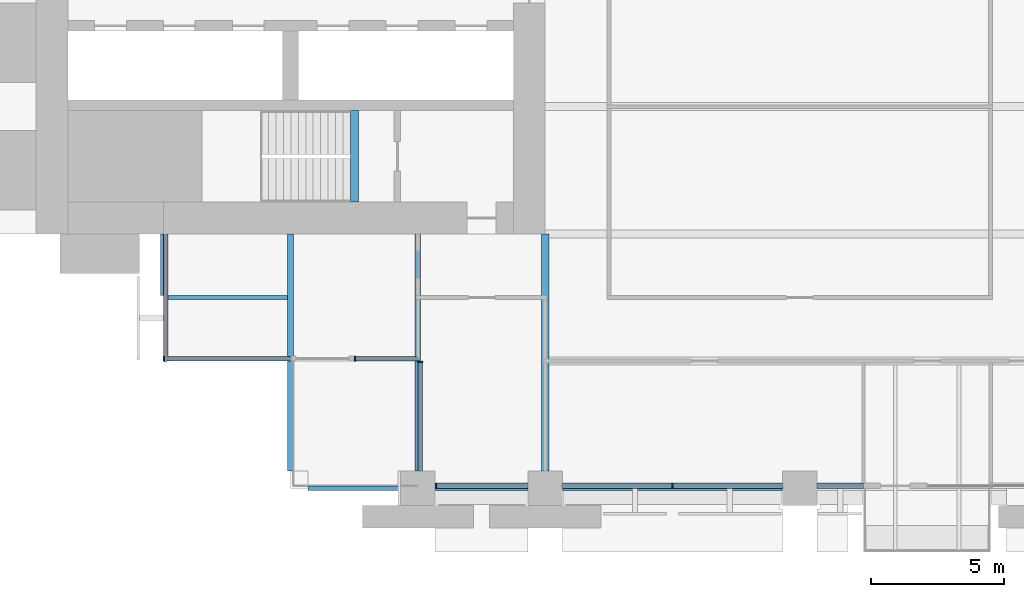
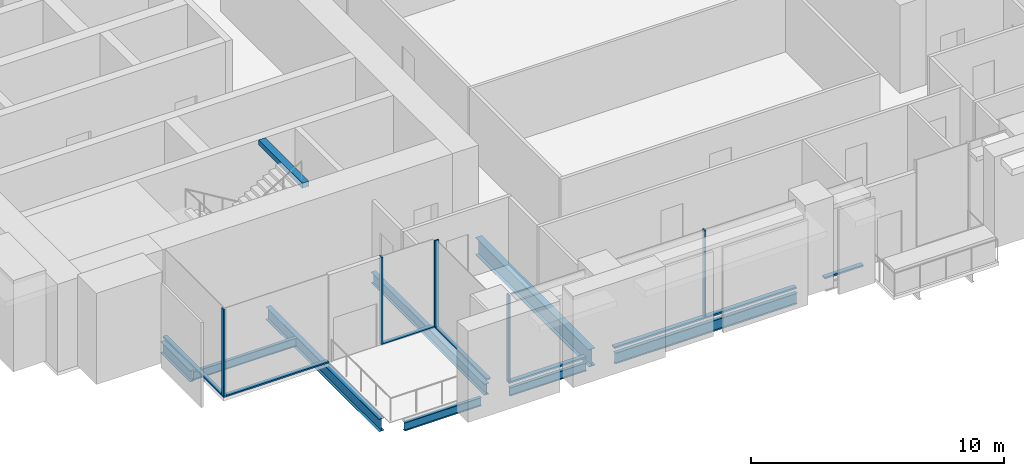
# One storey, part 2 of 15: 12 members, 9 beams, 5 elements without a shape of their own.
"""IFC4 building model written with IfcOpenShell, lengths in metres."""

from ifc_helpers import new_model, si_unit, direction, frame, origin, origin_2d, place, context, subcontext, project, spatial, rectangle, i_section, extrude, material, material_profile, profile_set, type_object, element, aggregate, save


model = new_model("IFC4")

# Units and contexts
model_context = context("Model", 3, precision=1e-05, world=origin(), true_north=direction((0.0, 1.0)))
body_context = subcontext(model_context, "Body", "Model", "MODEL_VIEW")
ifc_project = project(units=[si_unit("LENGTHUNIT", "METRE"), si_unit("AREAUNIT", "SQUARE_METRE"), si_unit("VOLUMEUNIT", "CUBIC_METRE"), si_unit("PLANEANGLEUNIT", "RADIAN"), si_unit("MASSUNIT", "GRAM", prefix="KILO")], contexts=[model_context])

# Site, building, storey
site_placement = place(None, origin())
site = spatial("IfcSite", under=ifc_project, at=site_placement, CompositionType="ELEMENT")
building_placement = place(site_placement, origin())
building = spatial("IfcBuilding", under=site, at=building_placement, Name="Baori Bourse Tower", CompositionType="ELEMENT")
storey_placement = place(building_placement, frame((0.0, 0.0, 34.60009765625)))
storey = spatial("IfcBuildingStorey", under=building, at=storey_placement, Name="L06", CompositionType="ELEMENT", Elevation=34.60009765625)

# Curtain wall, members
ifc_material_1 = material(Name="Pale anodised aluminium", Category="aluminium")
curtain_wall_type_1 = type_object("IfcCurtainWallType", Name="CW1 Curtain wall", PredefinedType="NOTDEFINED", material=ifc_material_1)
curtain_wall_1_placement = place(storey_placement, origin())
curtain_wall_1 = element("IfcCurtainWall", 1, at=curtain_wall_1_placement, inside=storey, type_object=curtain_wall_type_1, Name="Curtain wall CW1 L06 14", PredefinedType="NOTDEFINED")
ifc_material_2 = material(Name="Pale anodised aluminium", Category="aluminium")
ifc_material_profile_1 = material_profile(ifc_material_2, rectangle(XDim=0.199951171875, YDim=0.06005859375, at=origin_2d()), Name="Mullion 60x200")
ifc_profile_set_1 = profile_set([ifc_material_profile_1], Name="Pale anodised aluminium")
member_type_1 = type_object("IfcMemberType", Name="CW1 Curtain wall mullion", PredefinedType="MULLION", material=ifc_profile_set_1)
member_1_placement = place(storey_placement, frame((15.080078125, 0.10009765625, 0.079833984375), z_axis=(0.0, 0.0, 1.0), x_axis=(0.0, 1.0, 0.0)))
member_1 = element("IfcMember", 2, at=member_1_placement, type_object=member_type_1, Name="Curtain wall CW1 mullion", PredefinedType="MULLION", context=body_context, shape_type="SweptSolid", body=[
    extrude(rectangle(XDim=0.199951171875, YDim=0.06005859375, at=origin_2d()), origin(), (0.0, 0.0, 1.0), 4.16015625),
])
member_2_placement = place(storey_placement, frame((24.0, 0.10009765625, 0.079833984375), z_axis=(0.0, 0.0, 1.0), x_axis=(0.0, 1.0, 0.0)))
member_2 = element("IfcMember", 3, at=member_2_placement, type_object=member_type_1, Name="Curtain wall CW1 mullion", PredefinedType="MULLION", context=body_context, shape_type="SweptSolid", body=[
    extrude(rectangle(XDim=0.199951171875, YDim=0.06005859375, at=origin_2d()), origin(), (0.0, 0.0, 1.0), 4.16015625),
])
ifc_material_3 = material(Name="Pale anodised aluminium", Category="aluminium")
ifc_material_profile_2 = material_profile(ifc_material_3, rectangle(XDim=0.199951171875, YDim=0.080078125, at=origin_2d()), Name="Transom 80x200")
ifc_profile_set_2 = profile_set([ifc_material_profile_2], Name="Pale anodised aluminium")
member_type_2 = type_object("IfcMemberType", Name="CW1 Curtain wall transom", PredefinedType="USERDEFINED", material=ifc_profile_set_2)
member_3_placement = place(storey_placement, frame((15.050048828125, 0.10009765625, 0.039794921875), z_axis=(1.0, 0.0, 0.0), x_axis=(0.0, 1.0, 0.0)))
member_3 = element("IfcMember", 4, at=member_3_placement, type_object=member_type_2, Name="Curtain wall CW1 sill rail", ObjectType="TRANSOM", PredefinedType="USERDEFINED", context=body_context, shape_type="SweptSolid", body=[
    extrude(rectangle(XDim=0.199951171875, YDim=0.080078125, at=origin_2d()), origin(), (0.0, 0.0, 1.0), 3.5),
])
member_4_placement = place(storey_placement, frame((19.85009765625, 0.10009765625, 0.039794921875), z_axis=(1.0, 0.0, 0.0), x_axis=(0.0, 1.0, 0.0)))
member_4 = element("IfcMember", 5, at=member_4_placement, type_object=member_type_2, Name="Curtain wall CW1 sill rail", ObjectType="TRANSOM", PredefinedType="USERDEFINED", context=body_context, shape_type="SweptSolid", body=[
    extrude(rectangle(XDim=0.199951171875, YDim=0.080078125, at=origin_2d()), origin(), (0.0, 0.0, 1.0), 8.2998046875),
])
member_5_placement = place(storey_placement, frame((29.449951171875, 0.10009765625, 0.039794921875), z_axis=(1.0, 0.0, 0.0), x_axis=(0.0, 1.0, 0.0)))
member_5 = element("IfcMember", 6, at=member_5_placement, type_object=member_type_2, Name="Curtain wall CW1 sill rail", ObjectType="TRANSOM", PredefinedType="USERDEFINED", context=body_context, shape_type="SweptSolid", body=[
    extrude(rectangle(XDim=0.199951171875, YDim=0.080078125, at=origin_2d()), origin(), (0.0, 0.0, 1.0), 1.75),
])
aggregate(curtain_wall_1, [member_3, member_1, member_4, member_2, member_5])

# Curtain wall, member
ifc_material_4 = material(Name="Pale anodised aluminium", Category="aluminium")
curtain_wall_type_2 = type_object("IfcCurtainWallType", Name="CW2 Curtain wall", PredefinedType="NOTDEFINED", material=ifc_material_4)
curtain_wall_2_placement = place(storey_placement, origin())
curtain_wall_2 = element("IfcCurtainWall", 7, at=curtain_wall_2_placement, inside=storey, type_object=curtain_wall_type_2, Name="Curtain wall CW2 L06 11", PredefinedType="NOTDEFINED")
ifc_material_5 = material(Name="Pale anodised aluminium", Category="aluminium")
ifc_material_profile_3 = material_profile(ifc_material_5, rectangle(XDim=0.179931640625, YDim=0.054931640625, at=origin_2d()), Name="Mullion 55x180")
ifc_profile_set_3 = profile_set([ifc_material_profile_3], Name="Pale anodised aluminium")
member_type_3 = type_object("IfcMemberType", Name="CW2 Curtain wall mullion", PredefinedType="MULLION", material=ifc_profile_set_3)
member_6_placement = place(storey_placement, frame((4.827392578125, 4.889892578125, 0.06982421875), z_axis=(0.0, 0.0, 1.0), x_axis=(0.0, 1.0, 0.0)))
member_6 = element("IfcMember", 8, at=member_6_placement, type_object=member_type_3, Name="Curtain wall CW2 mullion", PredefinedType="MULLION", context=body_context, shape_type="SweptSolid", body=[
    extrude(rectangle(XDim=0.179931640625, YDim=0.054931640625, at=origin_2d()), origin(), (0.0, 0.0, 1.0), 4.170166015625),
])

curtain_wall_3_placement = place(storey_placement, origin())
curtain_wall_3 = element("IfcCurtainWall", 9, at=curtain_wall_3_placement, inside=storey, type_object=curtain_wall_type_2, Name="Curtain wall CW2 L06 12", PredefinedType="NOTDEFINED")
member_7_placement = place(storey_placement, frame((12.027587890625, 4.889892578125, 0.06982421875), z_axis=(0.0, 0.0, 1.0), x_axis=(0.0, 1.0, 0.0)))
member_7 = element("IfcMember", 10, at=member_7_placement, type_object=member_type_3, Name="Curtain wall CW2 mullion", PredefinedType="MULLION", context=body_context, shape_type="SweptSolid", body=[
    extrude(rectangle(XDim=0.179931640625, YDim=0.054931640625, at=origin_2d()), origin(), (0.0, 0.0, 1.0), 4.170166015625),
])

curtain_wall_4_placement = place(storey_placement, origin())
curtain_wall_4 = element("IfcCurtainWall", 11, at=curtain_wall_4_placement, inside=storey, type_object=curtain_wall_type_2, Name="Curtain wall CW2 L06 13", PredefinedType="NOTDEFINED")
member_8_placement = place(storey_placement, frame((14.489990234375, 4.7724609375, 0.06982421875), z_axis=(0.0, 0.0, 1.0), x_axis=(1.0, 0.0, 0.0)))
member_8 = element("IfcMember", 12, at=member_8_placement, type_object=member_type_3, Name="Curtain wall CW2 mullion", PredefinedType="MULLION", context=body_context, shape_type="SweptSolid", body=[
    extrude(rectangle(XDim=0.179931640625, YDim=0.054931640625, at=origin_2d()), origin(), (0.0, 0.0, 1.0), 4.170166015625),
])

curtain_wall_5_placement = place(storey_placement, origin())
curtain_wall_5 = element("IfcCurtainWall", 13, at=curtain_wall_5_placement, inside=storey, type_object=curtain_wall_type_2, Name="Curtain wall CW2 L06 10", PredefinedType="NOTDEFINED")
ifc_material_6 = material(Name="Pale anodised aluminium", Category="aluminium")
ifc_material_profile_4 = material_profile(ifc_material_6, rectangle(XDim=0.179931640625, YDim=0.070068359375, at=origin_2d()), Name="Transom 70x180")
ifc_profile_set_4 = profile_set([ifc_material_profile_4], Name="Pale anodised aluminium")
member_type_4 = type_object("IfcMemberType", Name="CW2 Curtain wall transom", PredefinedType="USERDEFINED", material=ifc_profile_set_4)
member_9_placement = place(storey_placement, frame((4.889892578125, 9.60009765625, 0.034912109375), z_axis=(0.0, -1.0, 0.0), x_axis=(1.0, 0.0, 0.0)))
member_9 = element("IfcMember", 14, at=member_9_placement, type_object=member_type_4, Name="Curtain wall CW2 sill rail", ObjectType="TRANSOM", PredefinedType="USERDEFINED", context=body_context, shape_type="SweptSolid", body=[
    extrude(rectangle(XDim=0.179931640625, YDim=0.070068359375, at=origin_2d()), origin(), (0.0, 0.0, 1.0), 4.800048828125),
])
aggregate(curtain_wall_5, [member_9])

# Member
member_10_placement = place(storey_placement, frame((4.800048828125, 4.889892578125, 0.034912109375), z_axis=(1.0, 0.0, 0.0), x_axis=(0.0, 1.0, 0.0)))
member_10 = element("IfcMember", 15, at=member_10_placement, type_object=member_type_4, Name="Curtain wall CW2 sill rail", ObjectType="TRANSOM", PredefinedType="USERDEFINED", context=body_context, shape_type="SweptSolid", body=[
    extrude(rectangle(XDim=0.179931640625, YDim=0.070068359375, at=origin_2d()), origin(), (0.0, 0.0, 1.0), 4.800048828125),
])

aggregate(curtain_wall_2, [member_10, member_6])

member_11_placement = place(storey_placement, frame((12.0, 4.889892578125, 0.034912109375), z_axis=(1.0, 0.0, 0.0), x_axis=(0.0, 1.0, 0.0)))
member_11 = element("IfcMember", 16, at=member_11_placement, type_object=member_type_4, Name="Curtain wall CW2 sill rail", ObjectType="TRANSOM", PredefinedType="USERDEFINED", context=body_context, shape_type="SweptSolid", body=[
    extrude(rectangle(XDim=0.179931640625, YDim=0.070068359375, at=origin_2d()), origin(), (0.0, 0.0, 1.0), 2.39990234375),
])

aggregate(curtain_wall_3, [member_11, member_7])

member_12_placement = place(storey_placement, frame((14.489990234375, 4.800048828125, 0.034912109375), z_axis=(0.0, -1.0, 0.0), x_axis=(1.0, 0.0, 0.0)))
member_12 = element("IfcMember", 17, at=member_12_placement, type_object=member_type_4, Name="Curtain wall CW2 sill rail", ObjectType="TRANSOM", PredefinedType="USERDEFINED", context=body_context, shape_type="SweptSolid", body=[
    extrude(rectangle(XDim=0.179931640625, YDim=0.070068359375, at=origin_2d()), origin(), (0.0, 0.0, 1.0), 4.150146484375),
])

aggregate(curtain_wall_4, [member_12, member_8])

# Beams
ifc_material_7 = material(Name="Steel A992 Gr 50", Category="steel")
ifc_material_profile_5 = material_profile(ifc_material_7, i_section(OverallWidth=0.21240234375, OverallDepth=0.54345703125, WebThickness=0.01318359375, FlangeThickness=0.021240234375, at=origin_2d()), Name="W21x83")
ifc_profile_set_5 = profile_set([ifc_material_profile_5], Name="Steel A992 Gr 50")
beam_type_1 = type_object("IfcBeamType", Name="Core bracket W21x83", PredefinedType="BEAM", material=ifc_profile_set_5)
beam_1_placement = place(storey_placement, frame((4.800048828125, 7.270263671875, -0.431884765625), z_axis=(0.0, 1.0, 0.0), x_axis=(-1.0, 0.0, 0.0)))
element("IfcBeam", 18, at=beam_1_placement, inside=storey, type_object=beam_type_1, Name="Core bracket L06", PredefinedType="BEAM", context=body_context, shape_type="SweptSolid", body=[
    extrude(i_section(OverallWidth=0.21240234375, OverallDepth=0.54345703125, WebThickness=0.01318359375, FlangeThickness=0.021240234375, at=origin_2d()), origin(), (0.0, 0.0, 1.0), 2.329833984375),
])
ifc_material_8 = material(Name="Steel A992 Gr 50", Category="steel")
ifc_material_profile_6 = material_profile(ifc_material_8, i_section(OverallWidth=0.140380859375, OverallDepth=0.40380859375, WebThickness=0.007080078125, FlangeThickness=0.01123046875, at=origin_2d()), Name="W16x31")
ifc_profile_set_6 = profile_set([ifc_material_profile_6], Name="Steel A992 Gr 50")
beam_type_2 = type_object("IfcBeamType", Name="Edge beam W16x31", PredefinedType="BEAM", material=ifc_profile_set_6)
for number, where, z_axis, x_axis, name in (
    (19, (10.25, 0.0, -0.362060546875), (1.0, 0.0, 0.0), (0.0, 1.0, 0.0), "Edge beam L06"),
    (20, (15.050048828125, 0.0, -0.362060546875), (1.0, 0.0, 0.0), (0.0, 1.0, 0.0), "Edge beam L06"),
):
    element("IfcBeam", number, at=place(storey_placement, frame(where, z_axis=z_axis, x_axis=x_axis)), inside=storey, type_object=beam_type_2, Name=name, PredefinedType="BEAM", context=body_context, shape_type="SweptSolid", body=[
        extrude(i_section(OverallWidth=0.140380859375, OverallDepth=0.40380859375, WebThickness=0.007080078125, FlangeThickness=0.01123046875, at=origin_2d()), origin(), (0.0, 0.0, 1.0), 3.5),
    ])
ifc_material_9 = material(Name="Steel A992 Gr 50", Category="steel")
ifc_material_profile_7 = material_profile(ifc_material_9, i_section(OverallWidth=0.1650390625, OverallDepth=0.52587890625, WebThickness=0.0087890625, FlangeThickness=0.011474609375, at=origin_2d()), Name="W21x44")
ifc_profile_set_7 = profile_set([ifc_material_profile_7], Name="Steel A992 Gr 50")
beam_type_3 = type_object("IfcBeamType", Name="Edge beam W21x44", PredefinedType="BEAM", material=ifc_profile_set_7)
beam_2_placement = place(storey_placement, frame((19.85009765625, 0.0, -0.423095703125), z_axis=(1.0, 0.0, 0.0), x_axis=(0.0, 1.0, 0.0)))
element("IfcBeam", 21, at=beam_2_placement, inside=storey, type_object=beam_type_3, Name="Edge beam L06", PredefinedType="BEAM", context=body_context, shape_type="SweptSolid", body=[
    extrude(i_section(OverallWidth=0.1650390625, OverallDepth=0.52587890625, WebThickness=0.0087890625, FlangeThickness=0.011474609375, at=origin_2d()), origin(), (0.0, 0.0, 1.0), 8.2998046875),
])
ifc_material_10 = material(Name="Steel A992 Gr 50", Category="steel")
ifc_material_profile_8 = material_profile(ifc_material_10, i_section(OverallWidth=0.209228515625, OverallDepth=0.533447265625, WebThickness=0.01025390625, FlangeThickness=0.015625, at=origin_2d()), Name="W21x62")
ifc_profile_set_8 = profile_set([ifc_material_profile_8], Name="Steel A992 Gr 50")
beam_type_4 = type_object("IfcBeamType", Name="Floor beam W21x62", PredefinedType="BEAM", material=ifc_profile_set_8)
beam_3_placement = place(storey_placement, frame((14.39990234375, 0.64990234375, -0.4267578125), z_axis=(0.0, 1.0, 0.0), x_axis=(-1.0, 0.0, 0.0)))
element("IfcBeam", 22, at=beam_3_placement, inside=storey, type_object=beam_type_4, Name="Floor beam L06", PredefinedType="BEAM", context=body_context, shape_type="SweptSolid", body=[
    extrude(i_section(OverallWidth=0.209228515625, OverallDepth=0.533447265625, WebThickness=0.01025390625, FlangeThickness=0.015625, at=origin_2d()), origin(), (0.0, 0.0, 1.0), 8.9501953125),
])
ifc_material_11 = material(Name="Steel A992 Gr 50", Category="steel")
ifc_material_profile_9 = material_profile(ifc_material_11, i_section(OverallWidth=0.227783203125, OverallDepth=0.60205078125, WebThickness=0.010498046875, FlangeThickness=0.014892578125, at=origin_2d()), Name="W24x68")
ifc_profile_set_9 = profile_set([ifc_material_profile_9], Name="Steel A992 Gr 50")
beam_type_5 = type_object("IfcBeamType", Name="Floor beam W24x68", PredefinedType="BEAM", material=ifc_profile_set_9)
beam_4_placement = place(storey_placement, frame((9.60009765625, 0.64990234375, -0.461181640625), z_axis=(0.0, 1.0, 0.0), x_axis=(-1.0, 0.0, 0.0)))
element("IfcBeam", 23, at=beam_4_placement, inside=storey, type_object=beam_type_5, Name="Floor beam L06", PredefinedType="BEAM", context=body_context, shape_type="SweptSolid", body=[
    extrude(i_section(OverallWidth=0.227783203125, OverallDepth=0.60205078125, WebThickness=0.010498046875, FlangeThickness=0.014892578125, at=origin_2d()), origin(), (0.0, 0.0, 1.0), 8.9501953125),
])
ifc_material_12 = material(Name="Steel A992 Gr 50", Category="steel")
ifc_material_profile_10 = material_profile(ifc_material_12, i_section(OverallWidth=0.2919921875, OverallDepth=0.835693359375, WebThickness=0.013916015625, FlangeThickness=0.018798828125, at=origin_2d()), Name="W33x118")
ifc_profile_set_10 = profile_set([ifc_material_profile_10], Name="Steel A992 Gr 50")
beam_type_6 = type_object("IfcBeamType", Name="Girder W33x118", PredefinedType="BEAM", material=ifc_profile_set_10)
beam_5_placement = place(storey_placement, frame((19.199951171875, 0.64990234375, -0.577880859375), z_axis=(0.0, 1.0, 0.0), x_axis=(-1.0, 0.0, 0.0)))
element("IfcBeam", 24, at=beam_5_placement, inside=storey, type_object=beam_type_6, Name="Girder L06", PredefinedType="BEAM", context=body_context, shape_type="SweptSolid", body=[
    extrude(i_section(OverallWidth=0.2919921875, OverallDepth=0.835693359375, WebThickness=0.013916015625, FlangeThickness=0.018798828125, at=origin_2d()), origin(), (0.0, 0.0, 1.0), 8.9501953125),
])
ifc_material_13 = material(Name="Concrete f'c 50 MPa", Category="concrete")
ifc_material_profile_11 = material_profile(ifc_material_13, rectangle(XDim=0.300048828125, YDim=0.25, at=origin_2d()), Name="RC 300x250")
ifc_profile_set_11 = profile_set([ifc_material_profile_11], Name="Concrete f'c 50 MPa")
beam_type_7 = type_object("IfcBeamType", Name="Stair nib beam RC 300x250", PredefinedType="BEAM", material=ifc_profile_set_11)
beam_6_placement = place(storey_placement, frame((12.0, 10.800048828125, 4.114990234375), z_axis=(0.0, 1.0, 0.0), x_axis=(-1.0, 0.0, 0.0)))
element("IfcBeam", 25, at=beam_6_placement, inside=storey, type_object=beam_type_7, Name="Stair WA nib beam L07", PredefinedType="BEAM", context=body_context, shape_type="SweptSolid", body=[
    extrude(rectangle(XDim=0.300048828125, YDim=0.25, at=origin_2d()), origin(), (0.0, 0.0, 1.0), 3.449951171875),
])
ifc_material_14 = material(Name="Steel A992 Gr 50", Category="steel")
ifc_material_profile_12 = material_profile(ifc_material_14, i_section(OverallWidth=0.140380859375, OverallDepth=0.40380859375, WebThickness=0.007080078125, FlangeThickness=0.01123046875, at=origin_2d()), Name="W16x31")
ifc_profile_set_12 = profile_set([ifc_material_profile_12], Name="Steel A992 Gr 50")
beam_type_8 = type_object("IfcBeamType", Name="Trimmer beam W16x31", PredefinedType="BEAM", material=ifc_profile_set_12)
beam_7_placement = place(storey_placement, frame((4.800048828125, 7.199951171875, -0.362060546875), z_axis=(1.0, 0.0, 0.0), x_axis=(0.0, 1.0, 0.0)))
element("IfcBeam", 26, at=beam_7_placement, inside=storey, type_object=beam_type_8, Name="Trimmer beam L06", PredefinedType="BEAM", context=body_context, shape_type="SweptSolid", body=[
    extrude(i_section(OverallWidth=0.140380859375, OverallDepth=0.40380859375, WebThickness=0.007080078125, FlangeThickness=0.01123046875, at=origin_2d()), origin(), (0.0, 0.0, 1.0), 4.68603515625),
])

save(model, "model.ifc")
